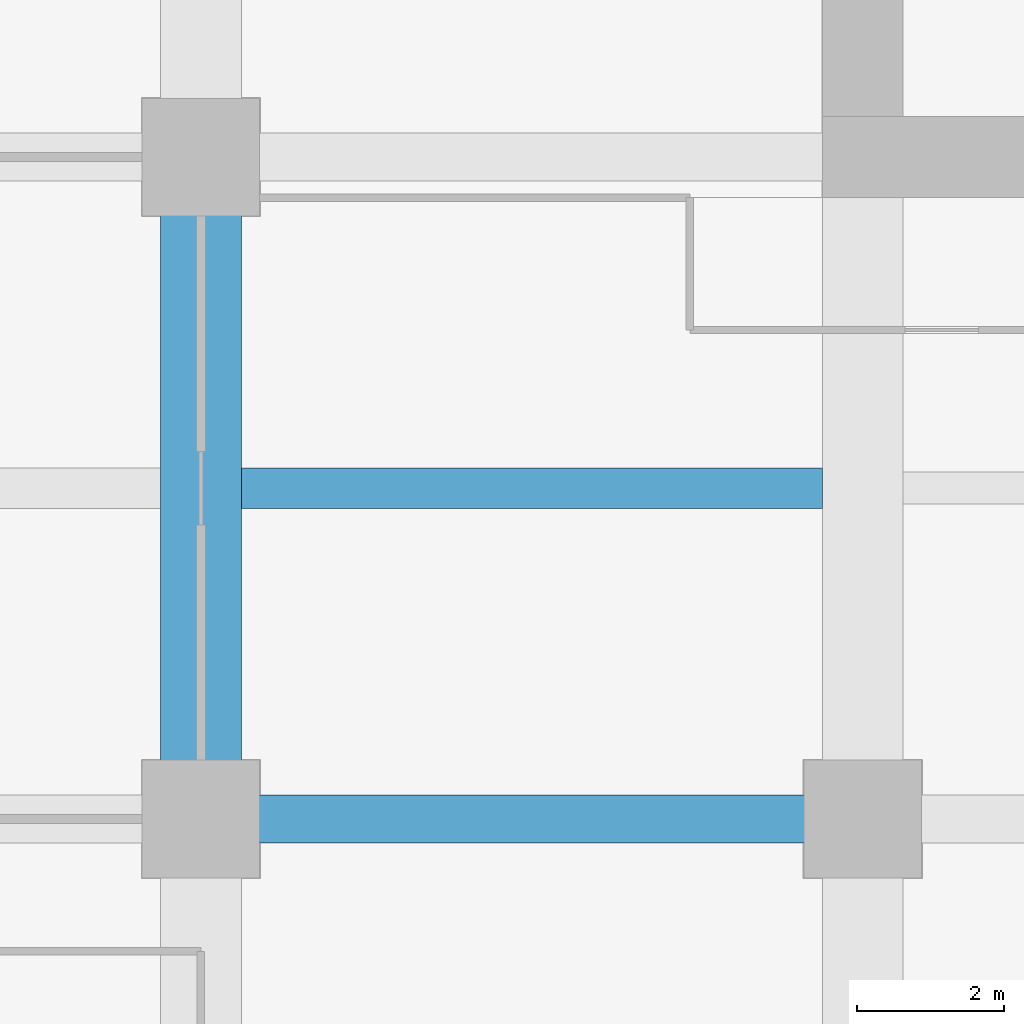
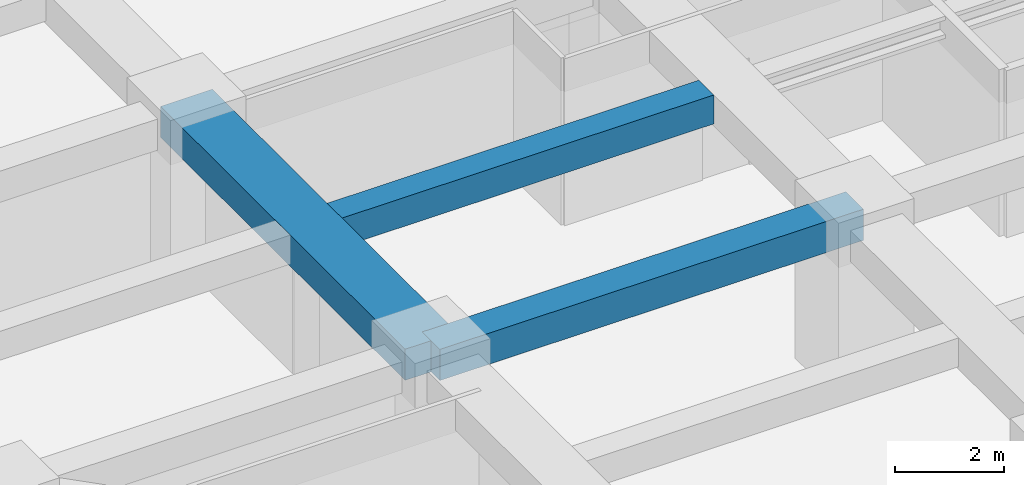
# One storey, part 5 of 32: 3 beams.
"""IFC4 building model written with IfcOpenShell, lengths in metres."""

from ifc_helpers import new_model, si_unit, direction, frame, origin, origin_2d, place, context, subcontext, project, spatial, rectangle, extrude, material, material_profile, profile_set, type_object, element, save


model = new_model("IFC4")

# Units and contexts
model_context = context("Model", 3, precision=1e-05, world=origin(), true_north=direction((0.0, 1.0)))
body_context = subcontext(model_context, "Body", "Model", "MODEL_VIEW")
ifc_project = project(units=[si_unit("LENGTHUNIT", "METRE"), si_unit("AREAUNIT", "SQUARE_METRE"), si_unit("VOLUMEUNIT", "CUBIC_METRE"), si_unit("PLANEANGLEUNIT", "RADIAN"), si_unit("MASSUNIT", "GRAM", prefix="KILO")], contexts=[model_context])

# Site, building, storey
site_placement = place(None, origin())
site = spatial("IfcSite", under=ifc_project, at=site_placement, CompositionType="ELEMENT")
building_placement = place(site_placement, origin())
building = spatial("IfcBuilding", under=site, at=building_placement, Name="Zorevar Civic Tower", CompositionType="ELEMENT")
storey_placement = place(building_placement, frame((0.0, 0.0, 190.199951171875)))
storey = spatial("IfcBuildingStorey", under=building, at=storey_placement, Name="L46", CompositionType="ELEMENT", Elevation=190.199951171875)

# Beams
ifc_material_1 = material(Name="Concrete C50/60", Category="concrete")
ifc_material_profile_1 = material_profile(ifc_material_1, rectangle(XDim=1.10009765625, YDim=0.699951171875, at=origin_2d()), Name="RC 1100x700")
ifc_profile_set_1 = profile_set([ifc_material_profile_1], Name="Concrete C50/60")
beam_type_1 = type_object("IfcBeamType", Name="Beam RC 1100x700", PredefinedType="BEAM", material=ifc_profile_set_1)
beam_1_placement = place(storey_placement, frame((9.0, 9.0, 3.400146484375), z_axis=(0.0, 1.0, 0.0), x_axis=(-1.0, 0.0, 0.0)))
element("IfcBeam", 1, at=beam_1_placement, inside=storey, type_object=beam_type_1, Name="Girder L47", PredefinedType="BEAM", context=body_context, shape_type="SweptSolid", body=[
    extrude(rectangle(XDim=1.10009765625, YDim=0.699951171875, at=origin_2d()), origin(), (0.0, 0.0, 1.0), 9.0),
])
ifc_material_2 = material(Name="Concrete C50/60", Category="concrete")
ifc_material_profile_2 = material_profile(ifc_material_2, rectangle(XDim=0.550048828125, YDim=0.64990234375, at=origin_2d()), Name="RC 550x650")
ifc_profile_set_2 = profile_set([ifc_material_profile_2], Name="Concrete C50/60")
beam_type_2 = type_object("IfcBeamType", Name="Beam RC 550x650", PredefinedType="BEAM", material=ifc_profile_set_2)
beam_2_placement = place(storey_placement, frame((9.550048828125, 13.5, 3.425048828125), z_axis=(1.0, 0.0, 0.0), x_axis=(0.0, 1.0, 0.0)))
element("IfcBeam", 2, at=beam_2_placement, inside=storey, type_object=beam_type_2, Name="Secondary beam L47", PredefinedType="BEAM", context=body_context, shape_type="SweptSolid", body=[
    extrude(rectangle(XDim=0.550048828125, YDim=0.64990234375, at=origin_2d()), origin(), (0.0, 0.0, 1.0), 7.89990234375),
])
ifc_material_3 = material(Name="Concrete C50/60", Category="concrete")
ifc_material_profile_3 = material_profile(ifc_material_3, rectangle(XDim=0.64990234375, YDim=0.699951171875, at=origin_2d()), Name="RC 650x700")
ifc_profile_set_3 = profile_set([ifc_material_profile_3], Name="Concrete C50/60")
beam_type_3 = type_object("IfcBeamType", Name="Beam RC 650x700", PredefinedType="BEAM", material=ifc_profile_set_3)
beam_3_placement = place(storey_placement, frame((9.0, 9.0, 3.400146484375), z_axis=(1.0, 0.0, 0.0), x_axis=(0.0, 1.0, 0.0)))
element("IfcBeam", 3, at=beam_3_placement, inside=storey, type_object=beam_type_3, Name="Girder L47", PredefinedType="BEAM", context=body_context, shape_type="SweptSolid", body=[
    extrude(rectangle(XDim=0.64990234375, YDim=0.699951171875, at=origin_2d()), origin(), (0.0, 0.0, 1.0), 9.0),
])

save(model, "model.ifc")
